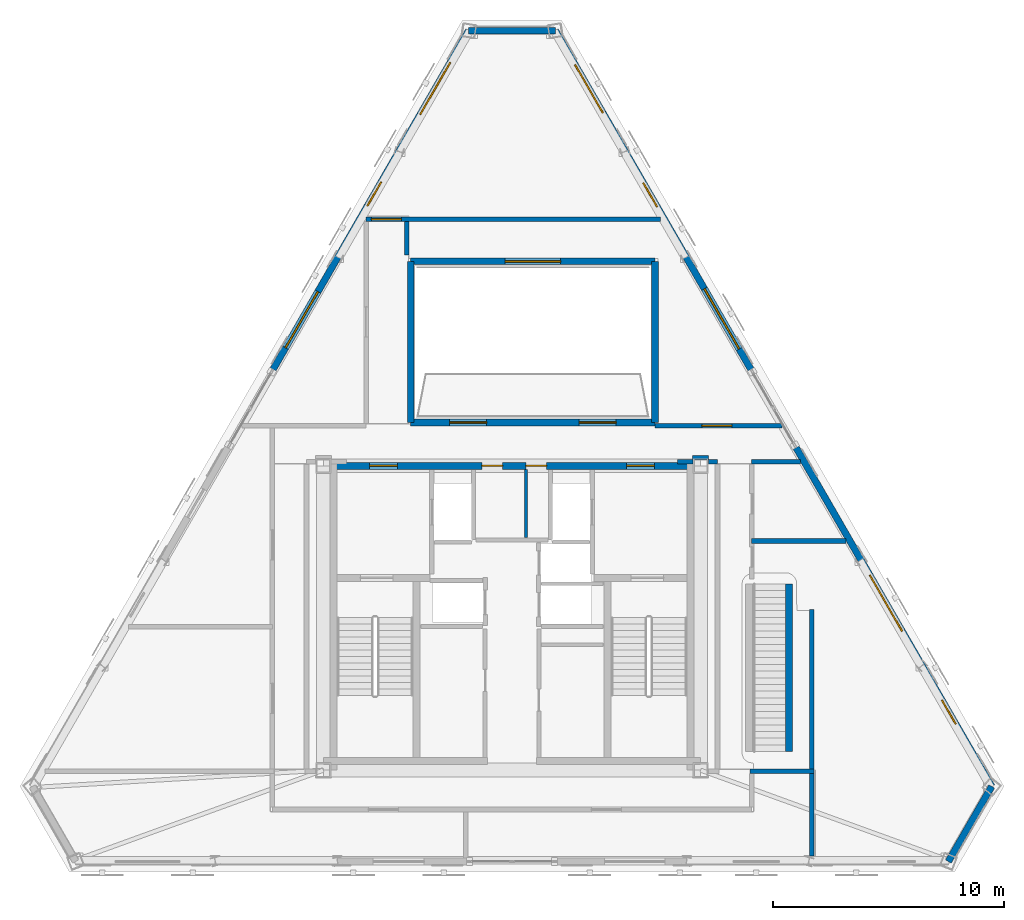
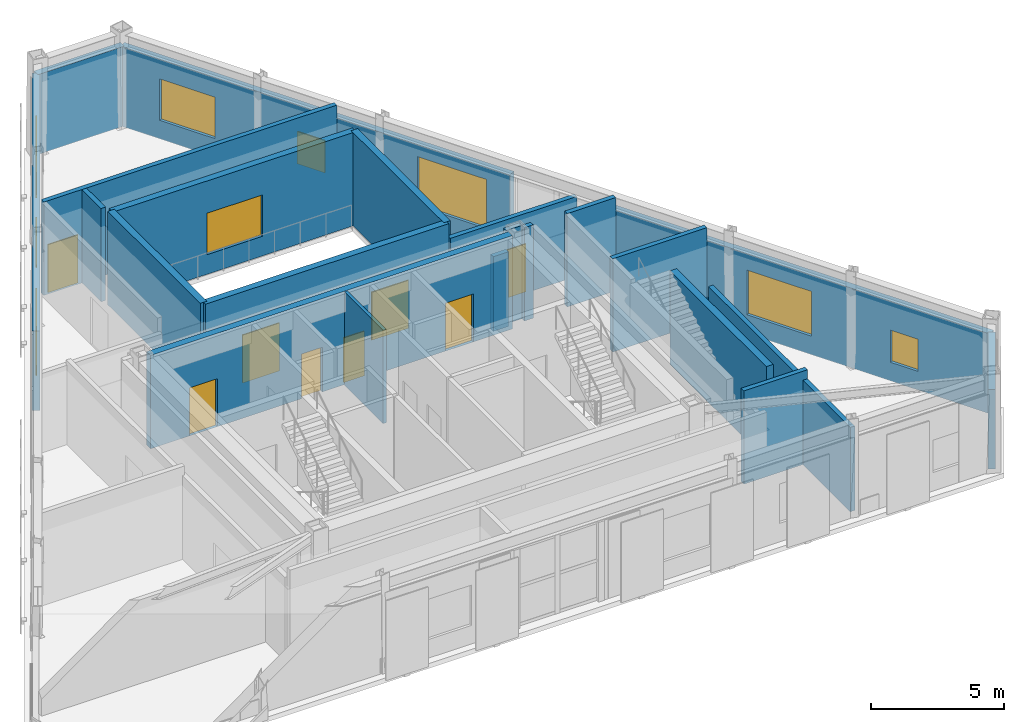
# One storey, part 11 of 15: 22 walls, 9 windows, 8 doors, 17 openings.
"""IFC4 building model written with IfcOpenShell, lengths in metres."""

from ifc_helpers import new_model, si_unit, direction, frame, frame_2d, origin, place, context, subcontext, project, spatial, rectangle, extrude, material, layer, layer_set, type_object, element, fill, save


model = new_model("IFC4")

# Units and contexts
model_context = context("Model", 3, precision=1e-05, world=origin(), true_north=direction((0.0, 1.0)))
body_context = subcontext(model_context, "Body", "Model", "MODEL_VIEW")
ifc_project = project(units=[si_unit("LENGTHUNIT", "METRE"), si_unit("AREAUNIT", "SQUARE_METRE"), si_unit("VOLUMEUNIT", "CUBIC_METRE"), si_unit("PLANEANGLEUNIT", "RADIAN"), si_unit("MASSUNIT", "GRAM", prefix="KILO")], contexts=[model_context])

# Site, building, storey
site_placement = place(None, origin())
site = spatial("IfcSite", under=ifc_project, at=site_placement, CompositionType="ELEMENT")
building_placement = place(site_placement, origin())
building = spatial("IfcBuilding", under=site, at=building_placement, Name="Oramaril Tower", CompositionType="ELEMENT")
storey_placement = place(building_placement, frame((0.0, 0.0, 305.10009765625)))
storey = spatial("IfcBuildingStorey", under=building, at=storey_placement, Name="L80", CompositionType="ELEMENT", Elevation=305.10009765625)

# Wall
ifc_material_1 = material(Name="Warm Cream Limestone", Category="masonry")
ifc_layer_1 = layer(ifc_material_1, 0.2900390625)
ifc_layer_set_1 = layer_set([ifc_layer_1], Name="WT-EXT29")
wall_type_1 = type_object("IfcWallType", Name="WT-EXT29", PredefinedType="SOLIDWALL", material=ifc_layer_set_1)
wall_1_placement = place(storey_placement, frame((56.350341796875, 7.0537109375, 0.0), z_axis=(0.0, 0.0, 1.0), x_axis=(0.500000729302, 0.866024982721, 0.0)))
element("IfcWall", 1, at=wall_1_placement, inside=storey, type_object=wall_type_1, Name="L80 Tower Limestone Facade Wall 3M", PredefinedType="SOLIDWALL", context=body_context, shape_type="SweptSolid", body=[
    extrude(rectangle(XDim=3.74658203125, YDim=0.2900390625, at=frame_2d((1.873291015625, 0.0))), origin(), (0.0, 0.0, 1.0), 3.657958984375),
])

# Wall, openings, windows
wall_2_placement = place(storey_placement, frame((58.2236328125, 10.29833984375, 0.0), z_axis=(0.0, 0.0, 1.0), x_axis=(-0.499998389603, 0.866026333546, 0.0)))
wall_2 = element("IfcWall", 2, at=wall_2_placement, inside=storey, type_object=wall_type_1, Name="L80 Tower Limestone Facade Wall 4L", PredefinedType="SOLIDWALL", context=body_context, shape_type="SweptSolid", body=[
    extrude(rectangle(XDim=16.900390625, YDim=0.2900390625, at=frame_2d((8.4501953125, 0.0))), origin(), (0.0, 0.0, 1.0), 3.657958984375),
])
opening_1_placement = place(wall_2_placement, frame((3.1083984375, 0.0, 0.85009765625)))
opening_1 = element("IfcOpeningElement", 3, at=opening_1_placement, cuts=wall_2, Name="Opening WN-09", PredefinedType="OPENING", context=body_context, shape_type="SweptSolid", body=[
    extrude(rectangle(XDim=1.199951171875, YDim=1.47998046875, at=frame_2d((0.60009765625, 0.739990234375))), frame((0.0, 0.14501953125, 0.0), z_axis=(0.0, -1.0, 0.0), x_axis=(1.0, 0.0, 0.0)), (0.0, 0.0, 1.0), 0.2900390625),
])
opening_2_placement = place(wall_2_placement, frame((7.73876953125, 0.0, 0.85009765625)))
opening_2 = element("IfcOpeningElement", 4, at=opening_2_placement, cuts=wall_2, Name="Opening WN-01", PredefinedType="OPENING", context=body_context, shape_type="SweptSolid", body=[
    extrude(rectangle(XDim=2.800048828125, YDim=2.050048828125, at=frame_2d((1.39990234375, 1.02490234375))), frame((0.0, 0.14501953125, 0.0), z_axis=(0.0, -1.0, 0.0), x_axis=(1.0, 0.0, 0.0)), (0.0, 0.0, 1.0), 0.2900390625),
])
ifc_material_2 = material(Name="Coastal Low-E Insulated Glass", Category="glass")
window_type_1 = type_object("IfcWindowType", Name="WNT-01", PartitioningType="SINGLE_PANEL", PredefinedType="WINDOW", material=ifc_material_2)
window_1_placement = place(opening_2_placement, origin())
window_1 = element("IfcWindow", 5, at=window_1_placement, inside=storey, type_object=window_type_1, Name="L80 Chicago Bay Window WN-01", OverallHeight=2.050048828125, OverallWidth=2.800048828125, PartitioningType="SINGLE_PANEL", PredefinedType="WINDOW", context=body_context, shape_type="SweptSolid", body=[
    extrude(rectangle(XDim=2.800048828125, YDim=2.050048828125, at=frame_2d((1.39990234375, 1.02490234375))), frame((0.0, 0.030029296875, 0.0), z_axis=(0.0, -1.0, 0.0), x_axis=(1.0, 0.0, 0.0)), (0.0, 0.0, 1.0), 0.06005859375),
])
fill(opening_2, window_1)
ifc_material_3 = material(Name="Coastal Low-E Insulated Glass", Category="glass")
window_type_2 = type_object("IfcWindowType", Name="WNT-09", PartitioningType="SINGLE_PANEL", PredefinedType="WINDOW", material=ifc_material_3)
window_2_placement = place(opening_1_placement, origin())
window_2 = element("IfcWindow", 6, at=window_2_placement, inside=storey, type_object=window_type_2, Name="L80 Chicago Bay Window WN-09", OverallHeight=1.47998046875, OverallWidth=1.199951171875, PartitioningType="SINGLE_PANEL", PredefinedType="WINDOW", context=body_context, shape_type="SweptSolid", body=[
    extrude(rectangle(XDim=1.199951171875, YDim=1.47998046875, at=frame_2d((0.60009765625, 0.739990234375))), frame((0.0, 0.030029296875, 0.0), z_axis=(0.0, -1.0, 0.0), x_axis=(1.0, 0.0, 0.0)), (0.0, 0.0, 1.0), 0.06005859375),
])
fill(opening_1, window_2)

wall_3_placement = place(storey_placement, frame((47.823486328125, 28.31201171875, 0.0), z_axis=(0.0, 0.0, 1.0), x_axis=(-0.500004644874, 0.866022722049, 0.0)))
wall_3 = element("IfcWall", 7, at=wall_3_placement, inside=storey, type_object=wall_type_1, Name="L80 Tower Limestone Facade Wall 4R", PredefinedType="SOLIDWALL", context=body_context, shape_type="SweptSolid", body=[
    extrude(rectangle(XDim=16.900146484375, YDim=0.2900390625, at=frame_2d((8.4501953125, 0.0))), origin(), (0.0, 0.0, 1.0), 3.657958984375),
])
opening_3_placement = place(wall_3_placement, frame((1.02099609375, 0.0, 0.85009765625)))
opening_3 = element("IfcOpeningElement", 8, at=opening_3_placement, cuts=wall_3, Name="Opening WN-10", PredefinedType="OPENING", context=body_context, shape_type="SweptSolid", body=[
    extrude(rectangle(XDim=3.0, YDim=2.25, at=frame_2d((1.5, 1.125))), frame((0.0, 0.14501953125, 0.0), z_axis=(0.0, -1.0, 0.0), x_axis=(1.0, 0.0, 0.0)), (0.0, 0.0, 1.0), 0.2900390625),
])
opening_4_placement = place(wall_3_placement, frame((8.104248046875, 0.0, 0.85009765625)))
opening_4 = element("IfcOpeningElement", 9, at=opening_4_placement, cuts=wall_3, Name="Opening WN-09", PredefinedType="OPENING", context=body_context, shape_type="SweptSolid", body=[
    extrude(rectangle(XDim=1.199951171875, YDim=1.47998046875, at=frame_2d((0.60009765625, 0.739990234375))), frame((0.0, 0.14501953125, 0.0), z_axis=(0.0, -1.0, 0.0), x_axis=(1.0, 0.0, 0.0)), (0.0, 0.0, 1.0), 0.2900390625),
])
opening_5_placement = place(wall_3_placement, frame((12.801513671875, 0.0, 0.85009765625)))
opening_5 = element("IfcOpeningElement", 10, at=opening_5_placement, cuts=wall_3, Name="Opening WN-03", PredefinedType="OPENING", context=body_context, shape_type="SweptSolid", body=[
    extrude(rectangle(XDim=2.39990234375, YDim=1.89990234375, at=frame_2d((1.199951171875, 0.949951171875))), frame((0.0, 0.14501953125, 0.0), z_axis=(0.0, -1.0, 0.0), x_axis=(1.0, 0.0, 0.0)), (0.0, 0.0, 1.0), 0.2900390625),
])
ifc_material_4 = material(Name="Coastal Low-E Insulated Glass", Category="glass")
window_type_3 = type_object("IfcWindowType", Name="WNT-03", PartitioningType="SINGLE_PANEL", PredefinedType="WINDOW", material=ifc_material_4)
window_3_placement = place(opening_5_placement, origin())
window_3 = element("IfcWindow", 11, at=window_3_placement, inside=storey, type_object=window_type_3, Name="L80 Chicago Bay Window WN-03", OverallHeight=1.89990234375, OverallWidth=2.39990234375, PartitioningType="SINGLE_PANEL", PredefinedType="WINDOW", context=body_context, shape_type="SweptSolid", body=[
    extrude(rectangle(XDim=2.39990234375, YDim=1.89990234375, at=frame_2d((1.199951171875, 0.949951171875))), frame((0.0, 0.030029296875, 0.0), z_axis=(0.0, -1.0, 0.0), x_axis=(1.0, 0.0, 0.0)), (0.0, 0.0, 1.0), 0.06005859375),
])
fill(opening_5, window_3)
window_4_placement = place(opening_4_placement, origin())
window_4 = element("IfcWindow", 12, at=window_4_placement, inside=storey, type_object=window_type_2, Name="L80 Chicago Bay Window WN-09", OverallHeight=1.47998046875, OverallWidth=1.199951171875, PartitioningType="SINGLE_PANEL", PredefinedType="WINDOW", context=body_context, shape_type="SweptSolid", body=[
    extrude(rectangle(XDim=1.199951171875, YDim=1.47998046875, at=frame_2d((0.60009765625, 0.739990234375))), frame((0.0, 0.030029296875, 0.0), z_axis=(0.0, -1.0, 0.0), x_axis=(1.0, 0.0, 0.0)), (0.0, 0.0, 1.0), 0.06005859375),
])
fill(opening_4, window_4)
ifc_material_5 = material(Name="Coastal Low-E Insulated Glass", Category="glass")
window_type_4 = type_object("IfcWindowType", Name="WNT-10", PartitioningType="SINGLE_PANEL", PredefinedType="WINDOW", material=ifc_material_5)
window_5_placement = place(opening_3_placement, origin())
window_5 = element("IfcWindow", 13, at=window_5_placement, inside=storey, type_object=window_type_4, Name="L80 Chicago Bay Window WN-10", OverallHeight=2.25, OverallWidth=3.0, PartitioningType="SINGLE_PANEL", PredefinedType="WINDOW", context=body_context, shape_type="SweptSolid", body=[
    extrude(rectangle(XDim=3.0, YDim=2.25, at=frame_2d((1.5, 1.125))), frame((0.0, 0.030029296875, 0.0), z_axis=(0.0, -1.0, 0.0), x_axis=(1.0, 0.0, 0.0)), (0.0, 0.0, 1.0), 0.06005859375),
])
fill(opening_3, window_5)

# Wall
wall_4_placement = place(storey_placement, frame((39.373291015625, 42.947998046875, 0.0), z_axis=(0.0, 0.0, 1.0), x_axis=(-1.0, 0.0, 0.0)))
element("IfcWall", 14, at=wall_4_placement, inside=storey, type_object=wall_type_1, Name="L80 Tower Limestone Facade Wall 5M", PredefinedType="SOLIDWALL", context=body_context, shape_type="SweptSolid", body=[
    extrude(rectangle(XDim=3.74658203125, YDim=0.2900390625, at=frame_2d((1.873291015625, 0.0))), origin(), (0.0, 0.0, 1.0), 3.657958984375),
])

# Wall, openings, windows
wall_5_placement = place(storey_placement, frame((35.626708984375, 42.947998046875, 0.0), z_axis=(0.0, 0.0, 1.0), x_axis=(-0.500004644874, -0.866022722049, 0.0)))
wall_5 = element("IfcWall", 15, at=wall_5_placement, inside=storey, type_object=wall_type_1, Name="L80 Tower Limestone Facade Wall 6L", PredefinedType="SOLIDWALL", context=body_context, shape_type="SweptSolid", body=[
    extrude(rectangle(XDim=16.900146484375, YDim=0.2900390625, at=frame_2d((8.4501953125, 0.0))), origin(), (0.0, 0.0, 1.0), 3.657958984375),
])
opening_6_placement = place(wall_5_placement, frame((13.02197265625, 0.0, 0.85009765625)))
opening_6 = element("IfcOpeningElement", 16, at=opening_6_placement, cuts=wall_5, Name="Opening WN-01", PredefinedType="OPENING", context=body_context, shape_type="SweptSolid", body=[
    extrude(rectangle(XDim=2.800048828125, YDim=2.050048828125, at=frame_2d((1.39990234375, 1.02490234375))), frame((0.0, 0.14501953125, 0.0), z_axis=(0.0, -1.0, 0.0), x_axis=(1.0, 0.0, 0.0)), (0.0, 0.0, 1.0), 0.2900390625),
])
opening_7_placement = place(wall_5_placement, frame((1.584228515625, 0.0, 0.85009765625)))
opening_7 = element("IfcOpeningElement", 17, at=opening_7_placement, cuts=wall_5, Name="Opening WN-02", PredefinedType="OPENING", context=body_context, shape_type="SweptSolid", body=[
    extrude(rectangle(XDim=2.60009765625, YDim=1.949951171875, at=frame_2d((1.300048828125, 0.97509765625))), frame((0.0, 0.14501953125, 0.0), z_axis=(0.0, -1.0, 0.0), x_axis=(1.0, 0.0, 0.0)), (0.0, 0.0, 1.0), 0.2900390625),
])
opening_8_placement = place(wall_5_placement, frame((7.552734375, 0.0, 0.85009765625)))
opening_8 = element("IfcOpeningElement", 18, at=opening_8_placement, cuts=wall_5, Name="Opening WN-09", PredefinedType="OPENING", context=body_context, shape_type="SweptSolid", body=[
    extrude(rectangle(XDim=1.199951171875, YDim=1.47998046875, at=frame_2d((0.60009765625, 0.739990234375))), frame((0.0, 0.14501953125, 0.0), z_axis=(0.0, -1.0, 0.0), x_axis=(1.0, 0.0, 0.0)), (0.0, 0.0, 1.0), 0.2900390625),
])
window_6_placement = place(opening_6_placement, origin())
window_6 = element("IfcWindow", 19, at=window_6_placement, inside=storey, type_object=window_type_1, Name="L80 Chicago Bay Window WN-01", OverallHeight=2.050048828125, OverallWidth=2.800048828125, PartitioningType="SINGLE_PANEL", PredefinedType="WINDOW", context=body_context, shape_type="SweptSolid", body=[
    extrude(rectangle(XDim=2.800048828125, YDim=2.050048828125, at=frame_2d((1.39990234375, 1.02490234375))), frame((0.0, 0.030029296875, 0.0), z_axis=(0.0, -1.0, 0.0), x_axis=(1.0, 0.0, 0.0)), (0.0, 0.0, 1.0), 0.06005859375),
])
fill(opening_6, window_6)
ifc_material_6 = material(Name="Coastal Low-E Insulated Glass", Category="glass")
window_type_5 = type_object("IfcWindowType", Name="WNT-02", PartitioningType="SINGLE_PANEL", PredefinedType="WINDOW", material=ifc_material_6)
window_7_placement = place(opening_7_placement, origin())
window_7 = element("IfcWindow", 20, at=window_7_placement, inside=storey, type_object=window_type_5, Name="L80 Chicago Bay Window WN-02", OverallHeight=1.949951171875, OverallWidth=2.60009765625, PartitioningType="SINGLE_PANEL", PredefinedType="WINDOW", context=body_context, shape_type="SweptSolid", body=[
    extrude(rectangle(XDim=2.60009765625, YDim=1.949951171875, at=frame_2d((1.300048828125, 0.97509765625))), frame((0.0, 0.030029296875, 0.0), z_axis=(0.0, -1.0, 0.0), x_axis=(1.0, 0.0, 0.0)), (0.0, 0.0, 1.0), 0.06005859375),
])
fill(opening_7, window_7)
window_8_placement = place(opening_8_placement, origin())
window_8 = element("IfcWindow", 21, at=window_8_placement, inside=storey, type_object=window_type_2, Name="L80 Chicago Bay Window WN-09", OverallHeight=1.47998046875, OverallWidth=1.199951171875, PartitioningType="SINGLE_PANEL", PredefinedType="WINDOW", context=body_context, shape_type="SweptSolid", body=[
    extrude(rectangle(XDim=1.199951171875, YDim=1.47998046875, at=frame_2d((0.60009765625, 0.739990234375))), frame((0.0, 0.030029296875, 0.0), z_axis=(0.0, -1.0, 0.0), x_axis=(1.0, 0.0, 0.0)), (0.0, 0.0, 1.0), 0.06005859375),
])
fill(opening_8, window_8)

# Wall, openings, doors
wall_6_placement = place(storey_placement, frame((33.1201171875, 26.02001953125, 0.0), z_axis=(0.0, 0.0, 1.0), x_axis=(1.0, 0.0, 0.0)))
wall_6 = element("IfcWall", 22, at=wall_6_placement, inside=storey, type_object=wall_type_1, Name="L80 Wind Portal S Observatory Wall", PredefinedType="SOLIDWALL", context=body_context, shape_type="SweptSolid", body=[
    extrude(rectangle(XDim=10.559814453125, YDim=0.2900390625, at=frame_2d((5.27978515625, 0.0))), origin(), (0.0, 0.0, 1.0), 4.27978515625),
])
opening_9_placement = place(wall_6_placement, frame((1.679931640625, 0.0, 0.0)))
opening_9 = element("IfcOpeningElement", 23, at=opening_9_placement, cuts=wall_6, Name="Opening D-L80-PD1", PredefinedType="OPENING", context=body_context, shape_type="SweptSolid", body=[
    extrude(rectangle(XDim=1.60009765625, YDim=2.199951171875, at=frame_2d((0.800048828125, 1.10009765625))), frame((0.0, 0.14501953125, 0.0), z_axis=(0.0, -1.0, 0.0), x_axis=(1.0, 0.0, 0.0)), (0.0, 0.0, 1.0), 0.2900390625),
])
opening_10_placement = place(wall_6_placement, frame((7.280029296875, 0.0, 0.0)))
opening_10 = element("IfcOpeningElement", 24, at=opening_10_placement, cuts=wall_6, Name="Opening D-L80-PD2", PredefinedType="OPENING", context=body_context, shape_type="SweptSolid", body=[
    extrude(rectangle(XDim=1.60009765625, YDim=2.199951171875, at=frame_2d((0.800048828125, 1.10009765625))), frame((0.0, 0.14501953125, 0.0), z_axis=(0.0, -1.0, 0.0), x_axis=(1.0, 0.0, 0.0)), (0.0, 0.0, 1.0), 0.2900390625),
])
ifc_material_7 = material(Name="Anodised Aluminium 6063-T6", Category="aluminium")
door_type_1 = type_object("IfcDoorType", Name="DT-TER", OperationType="NOTDEFINED", PredefinedType="DOOR", material=ifc_material_7)
door_1_placement = place(opening_9_placement, origin())
door_1 = element("IfcDoor", 25, at=door_1_placement, inside=storey, type_object=door_type_1, Name="L80 Wind Portal Deck Door 1", OperationType="SINGLE_SWING_LEFT", OverallHeight=2.199951171875, OverallWidth=1.60009765625, PredefinedType="DOOR", context=body_context, shape_type="SweptSolid", body=[
    extrude(rectangle(XDim=1.60009765625, YDim=2.199951171875, at=frame_2d((0.800048828125, 1.10009765625))), frame((0.0, 0.02490234375, 0.0), z_axis=(0.0, -1.0, 0.0), x_axis=(1.0, 0.0, 0.0)), (0.0, 0.0, 1.0), 0.050048828125),
])
fill(opening_9, door_1)
door_2_placement = place(opening_10_placement, origin())
door_2 = element("IfcDoor", 26, at=door_2_placement, inside=storey, type_object=door_type_1, Name="L80 Wind Portal Deck Door 2", OperationType="SINGLE_SWING_RIGHT", OverallHeight=2.199951171875, OverallWidth=1.60009765625, PredefinedType="DOOR", context=body_context, shape_type="SweptSolid", body=[
    extrude(rectangle(XDim=1.60009765625, YDim=2.199951171875, at=frame_2d((0.800048828125, 1.10009765625))), frame((0.0, 0.02490234375, 0.0), z_axis=(0.0, -1.0, 0.0), x_axis=(1.0, 0.0, 0.0)), (0.0, 0.0, 1.0), 0.050048828125),
])
fill(opening_10, door_2)

# Wall, opening, window
wall_7_placement = place(storey_placement, frame((33.1201171875, 32.97998046875, 0.0), z_axis=(0.0, 0.0, 1.0), x_axis=(1.0, 0.0, 0.0)))
wall_7 = element("IfcWall", 27, at=wall_7_placement, inside=storey, type_object=wall_type_1, Name="L80 Wind Portal N Observatory Wall", PredefinedType="SOLIDWALL", context=body_context, shape_type="SweptSolid", body=[
    extrude(rectangle(XDim=10.559814453125, YDim=0.2900390625, at=frame_2d((5.27978515625, 0.0))), origin(), (0.0, 0.0, 1.0), 4.27978515625),
])
opening_11_placement = place(wall_7_placement, frame((4.080078125, 0.0, 0.89990234375)))
opening_11 = element("IfcOpeningElement", 28, at=opening_11_placement, cuts=wall_7, Name="Opening WN-03", PredefinedType="OPENING", context=body_context, shape_type="SweptSolid", body=[
    extrude(rectangle(XDim=2.39990234375, YDim=1.89990234375, at=frame_2d((1.199951171875, 0.949951171875))), frame((0.0, 0.14501953125, 0.0), z_axis=(0.0, -1.0, 0.0), x_axis=(1.0, 0.0, 0.0)), (0.0, 0.0, 1.0), 0.2900390625),
])
window_9_placement = place(opening_11_placement, origin())
window_9 = element("IfcWindow", 29, at=window_9_placement, inside=storey, type_object=window_type_3, Name="L80 Wind Portal North Observatory Window", OverallHeight=1.89990234375, OverallWidth=2.39990234375, PartitioningType="SINGLE_PANEL", PredefinedType="WINDOW", context=body_context, shape_type="SweptSolid", body=[
    extrude(rectangle(XDim=2.39990234375, YDim=1.89990234375, at=frame_2d((1.199951171875, 0.949951171875))), frame((0.0, 0.030029296875, 0.0), z_axis=(0.0, -1.0, 0.0), x_axis=(1.0, 0.0, 0.0)), (0.0, 0.0, 1.0), 0.06005859375),
])
fill(opening_11, window_9)

# Walls
for number, where, z_axis, x_axis, name in (
    (30, (33.1201171875, 26.02001953125, 0.0), (0.0, 0.0, 1.0), (0.0, 1.0, 0.0), "L80 Wind Portal W Observatory Wall"),
    (31, (43.679931640625, 26.02001953125, 0.0), (0.0, 0.0, 1.0), (0.0, 1.0, 0.0), "L80 Wind Portal E Observatory Wall"),
):
    element("IfcWall", number, at=place(storey_placement, frame(where, z_axis=z_axis, x_axis=x_axis)), inside=storey, type_object=wall_type_1, Name=name, PredefinedType="SOLIDWALL", context=body_context, shape_type="SweptSolid", body=[
        extrude(rectangle(XDim=6.9599609375, YDim=0.2900390625, at=frame_2d((3.47998046875, 0.0))), origin(), (0.0, 0.0, 1.0), 4.27978515625),
    ])
ifc_material_8 = material(Name="Acoustic Gypsum Board Partition")
ifc_layer_2 = layer(ifc_material_8, 0.139892578125)
ifc_layer_set_2 = layer_set([ifc_layer_2], Name="WT-PT14")
wall_type_2 = type_object("IfcWallType", Name="WT-PT14", PredefinedType="PARTITIONING", material=ifc_layer_set_2)
wall_8_placement = place(storey_placement, frame((38.110107421875, 21.06005859375, 0.0), z_axis=(0.0, 0.0, 1.0), x_axis=(0.0, 1.0, 0.0)))
element("IfcWall", 32, at=wall_8_placement, inside=storey, type_object=wall_type_2, Name="L80 Core Service Divider", PredefinedType="PARTITIONING", context=body_context, shape_type="SweptSolid", body=[
    extrude(rectangle(XDim=2.919921875, YDim=0.139892578125, at=frame_2d((1.4599609375, 0.0))), origin(), (0.0, 0.0, 1.0), 4.27978515625),
])
ifc_material_9 = material(Name="Autoclaved Cellular Concrete Block", Category="concrete")
ifc_layer_3 = layer(ifc_material_9, 0.199951171875)
ifc_layer_set_3 = layer_set([ifc_layer_3], Name="WT-PT20")
wall_type_3 = type_object("IfcWallType", Name="WT-PT20", PredefinedType="PARTITIONING", material=ifc_layer_set_3)
wall_9_placement = place(storey_placement, frame((47.7900390625, 10.949951171875, 0.0), z_axis=(0.0, 0.0, 1.0), x_axis=(1.0, 0.0, 0.0)))
element("IfcWall", 33, at=wall_9_placement, inside=storey, type_object=wall_type_3, Name="L80 Interior Partition PT-20", PredefinedType="PARTITIONING", context=body_context, shape_type="SweptSolid", body=[
    extrude(rectangle(XDim=2.760009765625, YDim=0.199951171875, at=frame_2d((1.3798828125, 0.0))), origin(), (0.0, 0.0, 1.0), 4.27978515625),
])
wall_10_placement = place(storey_placement, frame((47.85009765625, 20.89990234375, 0.0), z_axis=(0.0, 0.0, 1.0), x_axis=(1.0, 0.0, 0.0)))
element("IfcWall", 34, at=wall_10_placement, inside=storey, type_object=wall_type_3, Name="L80 Interior Partition PT-20", PredefinedType="PARTITIONING", context=body_context, shape_type="SweptSolid", body=[
    extrude(rectangle(XDim=4.08056640625, YDim=0.199951171875, at=frame_2d((2.040283203125, 0.0))), origin(), (0.0, 0.0, 1.0), 4.27978515625),
])
wall_11_placement = place(storey_placement, frame((44.64501953125, 24.320068359375, 0.0), z_axis=(0.0, 0.0, 1.0), x_axis=(1.0, 0.0, 0.0)))
element("IfcWall", 35, at=wall_11_placement, inside=storey, type_object=wall_type_3, Name="L80 Interior Partition PT-20", PredefinedType="PARTITIONING", context=body_context, shape_type="SweptSolid", body=[
    extrude(rectangle(XDim=0.6650390625, YDim=0.199951171875, at=frame_2d((0.33251953125, 0.0))), origin(), (0.0, 0.0, 1.0), 3.419921875),
])
wall_12_placement = place(storey_placement, frame((45.989990234375, 24.320068359375, 0.0), z_axis=(0.0, 0.0, 1.0), x_axis=(1.0, 0.0, 0.0)))
element("IfcWall", 36, at=wall_12_placement, inside=storey, type_object=wall_type_3, Name="L80 Interior Partition PT-20", PredefinedType="PARTITIONING", context=body_context, shape_type="SweptSolid", body=[
    extrude(rectangle(XDim=0.389892578125, YDim=0.199951171875, at=frame_2d((0.19482421875, 0.0))), origin(), (0.0, 0.0, 1.0), 4.27978515625),
])
wall_13_placement = place(storey_placement, frame((47.85009765625, 24.320068359375, 0.0), z_axis=(0.0, 0.0, 1.0), x_axis=(1.0, 0.0, 0.0)))
element("IfcWall", 37, at=wall_13_placement, inside=storey, type_object=wall_type_3, Name="L80 Interior Partition PT-20", PredefinedType="PARTITIONING", context=body_context, shape_type="SweptSolid", body=[
    extrude(rectangle(XDim=2.10595703125, YDim=0.199951171875, at=frame_2d((1.052978515625, 0.0))), origin(), (0.0, 0.0, 1.0), 4.27978515625),
])
wall_14_placement = place(storey_placement, frame((45.304931640625, 24.5, 0.0), z_axis=(0.0, 0.0, 1.0), x_axis=(1.0, 0.0, 0.0)))
element("IfcWall", 38, at=wall_14_placement, inside=storey, type_object=wall_type_3, Name="L80 Interior Partition PT-20", PredefinedType="PARTITIONING", context=body_context, shape_type="SweptSolid", body=[
    extrude(rectangle(XDim=0.690185546875, YDim=0.199951171875, at=frame_2d((0.34521484375, 0.0))), origin(), (0.0, 0.0, 1.0), 4.27978515625),
])

# Wall, opening, door
wall_15_placement = place(storey_placement, frame((43.679931640625, 25.8798828125, 0.0), z_axis=(0.0, 0.0, 1.0), x_axis=(1.0, 0.0, 0.0)))
wall_15 = element("IfcWall", 39, at=wall_15_placement, inside=storey, type_object=wall_type_3, Name="L80 Interior Partition PT-20", PredefinedType="PARTITIONING", context=body_context, shape_type="SweptSolid", body=[
    extrude(rectangle(XDim=5.48388671875, YDim=0.199951171875, at=frame_2d((2.741943359375, 0.0))), origin(), (0.0, 0.0, 1.0), 3.657958984375),
])
opening_12_placement = place(wall_15_placement, frame((2.0224609375, 0.0, 0.0)))
opening_12 = element("IfcOpeningElement", 40, at=opening_12_placement, cuts=wall_15, Name="Opening D-L80-03", PredefinedType="OPENING", context=body_context, shape_type="SweptSolid", body=[
    extrude(rectangle(XDim=1.300048828125, YDim=2.199951171875, at=frame_2d((0.64990234375, 1.10009765625))), frame((0.0, 0.10009765625, 0.0), z_axis=(0.0, -1.0, 0.0), x_axis=(1.0, 0.0, 0.0)), (0.0, 0.0, 1.0), 0.199951171875),
])
ifc_material_10 = material(Name="FSC Brazilian Freijo Hardwood", Category="wood")
door_type_2 = type_object("IfcDoorType", Name="DT-COM", OperationType="NOTDEFINED", PredefinedType="DOOR", material=ifc_material_10)
door_3_placement = place(opening_12_placement, origin())
door_3 = element("IfcDoor", 41, at=door_3_placement, inside=storey, type_object=door_type_2, Name="L80 L80 East Portal Viewing Salon Door D-L80-03", OperationType="SINGLE_SWING_RIGHT", OverallHeight=2.199951171875, OverallWidth=1.300048828125, PredefinedType="DOOR", context=body_context, shape_type="SweptSolid", body=[
    extrude(rectangle(XDim=1.300048828125, YDim=2.199951171875, at=frame_2d((0.64990234375, 1.10009765625))), frame((0.0, 0.02490234375, 0.0), z_axis=(0.0, -1.0, 0.0), x_axis=(1.0, 0.0, 0.0)), (0.0, 0.0, 1.0), 0.050048828125),
])
fill(opening_12, door_3)

wall_16_placement = place(storey_placement, frame((31.199951171875, 34.800048828125, 0.0), z_axis=(0.0, 0.0, 1.0), x_axis=(1.0, 0.0, 0.0)))
wall_16 = element("IfcWall", 42, at=wall_16_placement, inside=storey, type_object=wall_type_3, Name="L80 Interior Partition PT-20", PredefinedType="PARTITIONING", context=body_context, shape_type="SweptSolid", body=[
    extrude(rectangle(XDim=12.70556640625, YDim=0.199951171875, at=frame_2d((6.352783203125, 0.0))), origin(), (0.0, 0.0, 1.0), 4.27978515625),
])
opening_13_placement = place(wall_16_placement, frame((0.22509765625, 0.0, 0.0)))
opening_13 = element("IfcOpeningElement", 43, at=opening_13_placement, cuts=wall_16, Name="Opening D-L80-04", PredefinedType="OPENING", context=body_context, shape_type="SweptSolid", body=[
    extrude(rectangle(XDim=1.300048828125, YDim=2.199951171875, at=frame_2d((0.64990234375, 1.10009765625))), frame((0.0, 0.10009765625, 0.0), z_axis=(0.0, -1.0, 0.0), x_axis=(1.0, 0.0, 0.0)), (0.0, 0.0, 1.0), 0.199951171875),
])
door_4_placement = place(opening_13_placement, origin())
door_4 = element("IfcDoor", 44, at=door_4_placement, inside=storey, type_object=door_type_2, Name="L80 L80 North Starlight Observatory Salon Door D-L80-04", OperationType="SINGLE_SWING_LEFT", OverallHeight=2.199951171875, OverallWidth=1.300048828125, PredefinedType="DOOR", context=body_context, shape_type="SweptSolid", body=[
    extrude(rectangle(XDim=1.300048828125, YDim=2.199951171875, at=frame_2d((0.64990234375, 1.10009765625))), frame((0.0, 0.02490234375, 0.0), z_axis=(0.0, -1.0, 0.0), x_axis=(1.0, 0.0, 0.0)), (0.0, 0.0, 1.0), 0.050048828125),
])
fill(opening_13, door_4)

# Walls
wall_17_placement = place(storey_placement, frame((32.949951171875, 33.260009765625, 0.0), z_axis=(0.0, 0.0, 1.0), x_axis=(0.0, 1.0, 0.0)))
element("IfcWall", 45, at=wall_17_placement, inside=storey, type_object=wall_type_3, Name="L80 Interior Partition PT-20", PredefinedType="PARTITIONING", context=body_context, shape_type="SweptSolid", body=[
    extrude(rectangle(XDim=1.43603515625, YDim=0.199951171875, at=frame_2d((0.718017578125, 0.0))), origin(), (0.0, 0.0, 1.0), 4.27978515625),
])
wall_18_placement = place(storey_placement, frame((50.449951171875, 7.282958984375, 0.0), z_axis=(0.0, 0.0, 1.0), x_axis=(0.0, 1.0, 0.0)))
element("IfcWall", 46, at=wall_18_placement, inside=storey, type_object=wall_type_3, Name="L80 Interior Partition PT-20", PredefinedType="PARTITIONING", context=body_context, shape_type="SweptSolid", body=[
    extrude(rectangle(XDim=10.6669921875, YDim=0.199951171875, at=frame_2d((5.33349609375, 0.0))), origin(), (0.0, 0.0, 1.0), 3.865966796875),
])

# Wall, openings, doors
ifc_material_11 = material(Name="Concrete C50/60", Category="concrete")
ifc_layer_4 = layer(ifc_material_11, 0.300048828125)
ifc_layer_set_4 = layer_set([ifc_layer_4], Name="WT-SH30")
wall_type_4 = type_object("IfcWallType", Name="WT-SH30", PredefinedType="SHEAR", material=ifc_layer_set_4)
wall_19_placement = place(storey_placement, frame((29.64990234375, 24.14990234375, 0.0), z_axis=(0.0, 0.0, 1.0), x_axis=(1.0, 0.0, 0.0)))
wall_19 = element("IfcWall", 47, at=wall_19_placement, inside=storey, type_object=wall_type_4, Name="L80 Core Shear Wall CW-N", PredefinedType="SHEAR", context=body_context, shape_type="SweptSolid", body=[
    extrude(rectangle(XDim=15.7001953125, YDim=0.300048828125, at=frame_2d((7.85009765625, 0.0))), origin(), (0.0, 0.0, 1.0), 4.27978515625),
])
opening_14_placement = place(wall_19_placement, frame((1.699951171875, 0.0, 0.0)))
opening_14 = element("IfcOpeningElement", 48, at=opening_14_placement, cuts=wall_19, Name="Opening D-L80-FFL1", PredefinedType="OPENING", context=body_context, shape_type="SweptSolid", body=[
    extrude(rectangle(XDim=1.199951171875, YDim=2.199951171875, at=frame_2d((0.60009765625, 1.10009765625))), frame((0.0, 0.14990234375, 0.0), z_axis=(0.0, -1.0, 0.0), x_axis=(1.0, 0.0, 0.0)), (0.0, 0.0, 1.0), 0.300048828125),
])
opening_15_placement = place(wall_19_placement, frame((12.800048828125, 0.0, 0.0)))
opening_15 = element("IfcOpeningElement", 49, at=opening_15_placement, cuts=wall_19, Name="Opening D-L80-FFL2", PredefinedType="OPENING", context=body_context, shape_type="SweptSolid", body=[
    extrude(rectangle(XDim=1.199951171875, YDim=2.199951171875, at=frame_2d((0.60009765625, 1.10009765625))), frame((0.0, 0.14990234375, 0.0), z_axis=(0.0, -1.0, 0.0), x_axis=(1.0, 0.0, 0.0)), (0.0, 0.0, 1.0), 0.300048828125),
])
opening_16_placement = place(wall_19_placement, frame((6.550048828125, 0.0, 0.0)))
opening_16 = element("IfcOpeningElement", 50, at=opening_16_placement, cuts=wall_19, Name="Opening D-L80-SV1", PredefinedType="OPENING", context=body_context, shape_type="SweptSolid", body=[
    extrude(rectangle(XDim=0.89990234375, YDim=2.050048828125, at=frame_2d((0.449951171875, 1.02490234375))), frame((0.0, 0.14990234375, 0.0), z_axis=(0.0, -1.0, 0.0), x_axis=(1.0, 0.0, 0.0)), (0.0, 0.0, 1.0), 0.300048828125),
])
opening_17_placement = place(wall_19_placement, frame((8.449951171875, 0.0, 0.0)))
opening_17 = element("IfcOpeningElement", 51, at=opening_17_placement, cuts=wall_19, Name="Opening D-L80-SV2", PredefinedType="OPENING", context=body_context, shape_type="SweptSolid", body=[
    extrude(rectangle(XDim=0.89990234375, YDim=2.050048828125, at=frame_2d((0.449951171875, 1.02490234375))), frame((0.0, 0.14990234375, 0.0), z_axis=(0.0, -1.0, 0.0), x_axis=(1.0, 0.0, 0.0)), (0.0, 0.0, 1.0), 0.300048828125),
])
ifc_material_12 = material(Name="Painted Galvanised Steel", Category="steel")
door_type_3 = type_object("IfcDoorType", Name="DT-FFL", OperationType="NOTDEFINED", PredefinedType="DOOR", material=ifc_material_12)
door_5_placement = place(opening_14_placement, origin())
door_5 = element("IfcDoor", 52, at=door_5_placement, inside=storey, type_object=door_type_3, Name="L80 Firefighting Lobby 1 Fire Door", OperationType="SINGLE_SWING_LEFT", OverallHeight=2.199951171875, OverallWidth=1.199951171875, PredefinedType="DOOR", context=body_context, shape_type="SweptSolid", body=[
    extrude(rectangle(XDim=1.199951171875, YDim=2.199951171875, at=frame_2d((0.60009765625, 1.10009765625))), frame((0.0, 0.02490234375, 0.0), z_axis=(0.0, -1.0, 0.0), x_axis=(1.0, 0.0, 0.0)), (0.0, 0.0, 1.0), 0.050048828125),
])
fill(opening_14, door_5)
door_6_placement = place(opening_15_placement, origin())
door_6 = element("IfcDoor", 53, at=door_6_placement, inside=storey, type_object=door_type_3, Name="L80 Firefighting Lobby 2 Fire Door", OperationType="SINGLE_SWING_RIGHT", OverallHeight=2.199951171875, OverallWidth=1.199951171875, PredefinedType="DOOR", context=body_context, shape_type="SweptSolid", body=[
    extrude(rectangle(XDim=1.199951171875, YDim=2.199951171875, at=frame_2d((0.60009765625, 1.10009765625))), frame((0.0, 0.02490234375, 0.0), z_axis=(0.0, -1.0, 0.0), x_axis=(1.0, 0.0, 0.0)), (0.0, 0.0, 1.0), 0.050048828125),
])
fill(opening_15, door_6)
ifc_material_13 = material(Name="Painted Galvanised Steel", Category="steel")
door_type_4 = type_object("IfcDoorType", Name="DT-SVC", OperationType="NOTDEFINED", PredefinedType="DOOR", material=ifc_material_13)
door_7_placement = place(opening_16_placement, origin())
door_7 = element("IfcDoor", 54, at=door_7_placement, inside=storey, type_object=door_type_4, Name="L80 Core Service Store 1 Door", OperationType="SINGLE_SWING_LEFT", OverallHeight=2.050048828125, OverallWidth=0.89990234375, PredefinedType="DOOR", context=body_context, shape_type="SweptSolid", body=[
    extrude(rectangle(XDim=0.89990234375, YDim=2.050048828125, at=frame_2d((0.449951171875, 1.02490234375))), frame((0.0, 0.02490234375, 0.0), z_axis=(0.0, -1.0, 0.0), x_axis=(1.0, 0.0, 0.0)), (0.0, 0.0, 1.0), 0.050048828125),
])
fill(opening_16, door_7)
door_8_placement = place(opening_17_placement, origin())
door_8 = element("IfcDoor", 55, at=door_8_placement, inside=storey, type_object=door_type_4, Name="L80 Core Service Store 2 Door", OperationType="SINGLE_SWING_RIGHT", OverallHeight=2.050048828125, OverallWidth=0.89990234375, PredefinedType="DOOR", context=body_context, shape_type="SweptSolid", body=[
    extrude(rectangle(XDim=0.89990234375, YDim=2.050048828125, at=frame_2d((0.449951171875, 1.02490234375))), frame((0.0, 0.02490234375, 0.0), z_axis=(0.0, -1.0, 0.0), x_axis=(1.0, 0.0, 0.0)), (0.0, 0.0, 1.0), 0.050048828125),
])
fill(opening_17, door_8)

# Wall
wall_20_placement = place(storey_placement, frame((49.465087890625, 11.800048828125, 0.0), z_axis=(0.0, 0.0, 1.0), x_axis=(0.0, 1.0, 0.0)))
element("IfcWall", 56, at=wall_20_placement, inside=storey, type_object=wall_type_4, Name="L80 Feature Stair ST-8 Support Wall R", PredefinedType="SHEAR", context=body_context, shape_type="SweptSolid", body=[
    extrude(rectangle(XDim=7.25, YDim=0.300048828125, at=frame_2d((3.625, 0.0))), origin(), (0.0, 0.0, 1.0), 4.27978515625),
])

save(model, "model.ifc")
